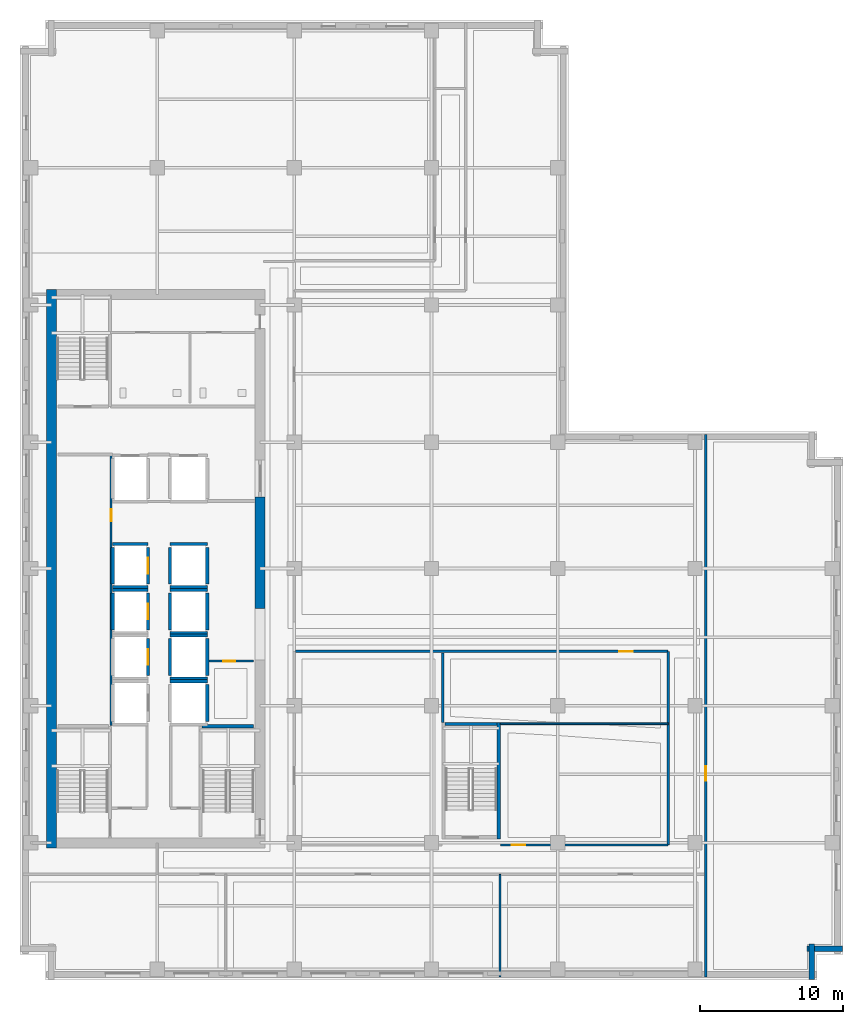
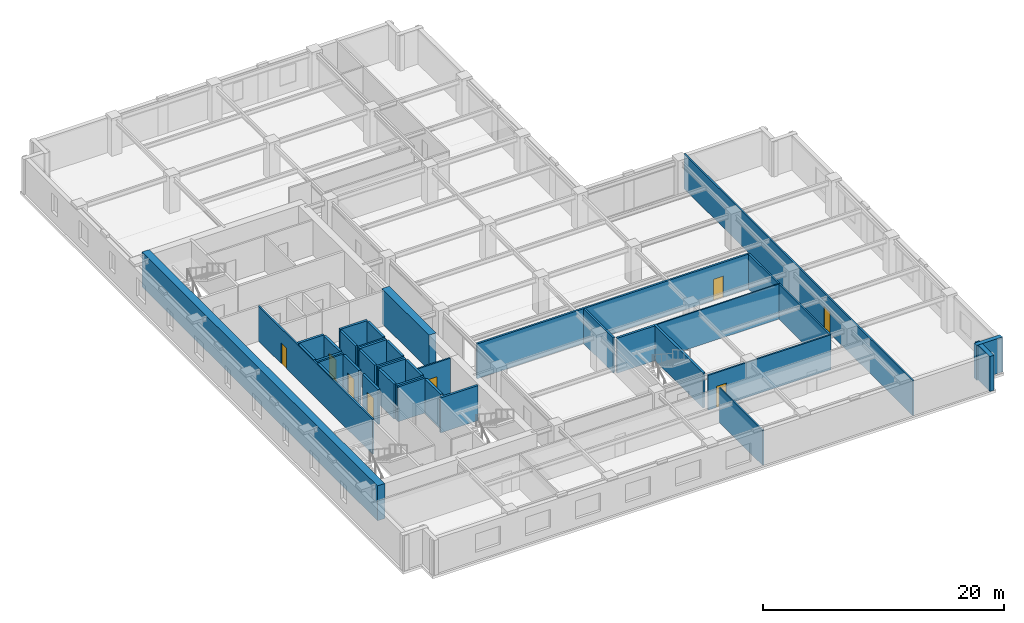
# One storey, part 4 of 12: 38 walls, 8 doors, 8 openings.
"""IFC4 building model written with IfcOpenShell, lengths in metres."""

from ifc_helpers import new_model, si_unit, direction, frame, frame_2d, origin, place, context, subcontext, project, spatial, rectangle, extrude, material, layer, layer_set, type_object, element, fill, save


model = new_model("IFC4")

# Units and contexts
model_context = context("Model", 3, precision=1e-05, world=origin(), true_north=direction((0.0, 1.0)))
body_context = subcontext(model_context, "Body", "Model", "MODEL_VIEW")
ifc_project = project(units=[si_unit("LENGTHUNIT", "METRE"), si_unit("AREAUNIT", "SQUARE_METRE"), si_unit("VOLUMEUNIT", "CUBIC_METRE"), si_unit("PLANEANGLEUNIT", "RADIAN"), si_unit("MASSUNIT", "GRAM", prefix="KILO")], contexts=[model_context])

# Site, building, storey
site_placement = place(None, origin())
site = spatial("IfcSite", under=ifc_project, at=site_placement, CompositionType="ELEMENT")
building_placement = place(site_placement, origin())
building = spatial("IfcBuilding", under=site, at=building_placement, Name="Norrvale University Quadrangle", CompositionType="ELEMENT")
storey_placement = place(building_placement, frame((0.0, 0.0, 143.199951171875)))
storey = spatial("IfcBuildingStorey", under=building, at=storey_placement, Name="L36", CompositionType="ELEMENT", Elevation=143.199951171875)

# Walls
ifc_material_1 = material(Name="Concrete C60/75", Category="concrete")
ifc_layer_1 = layer(ifc_material_1, 0.699951171875, Name="Concrete C60/75")
ifc_layer_set_1 = layer_set([ifc_layer_1], Name="Concrete C60/75")
wall_type_1 = type_object("IfcWallType", Name="Wall Core 700", PredefinedType="SHEAR", material=ifc_layer_set_1)
wall_1_placement = place(storey_placement, frame((2.199951171875, 9.25, 0.0), z_axis=(0.0, 0.0, 1.0), x_axis=(0.0, 1.0, 0.0)))
element("IfcWall", 1, at=wall_1_placement, inside=storey, type_object=wall_type_1, Name="Tower Core Shear Wall L36-W", PredefinedType="SHEAR", context=body_context, shape_type="SweptSolid", body=[
    extrude(rectangle(XDim=39.10009765625, YDim=0.699951171875, at=frame_2d((19.550048828125, 0.0))), origin(), (0.0, 0.0, 1.0), 3.5400390625),
])
wall_2_placement = place(storey_placement, frame((16.800048828125, 26.0, 0.0), z_axis=(0.0, 0.0, 1.0), x_axis=(0.0, 1.0, 0.0)))
element("IfcWall", 2, at=wall_2_placement, inside=storey, type_object=wall_type_1, Name="Tower Core Shear Wall L36-E2", PredefinedType="SHEAR", context=body_context, shape_type="SweptSolid", body=[
    extrude(rectangle(XDim=7.800048828125, YDim=0.699951171875, at=frame_2d((3.89990234375, 0.0))), origin(), (0.0, 0.0, 1.0), 3.5400390625),
])
ifc_material_2 = material(Name="Standard Academic Gypsum Partition")
ifc_layer_2 = layer(ifc_material_2, 0.125, Name="Standard Academic Gypsum Partition")
ifc_layer_set_2 = layer_set([ifc_layer_2], Name="Standard Academic Gypsum Partition")
wall_type_2 = type_object("IfcWallType", Name="Wall Gypsum Academic 125", PredefinedType="PARTITIONING", material=ifc_layer_set_2)
wall_3_placement = place(storey_placement, frame((33.60009765625, 0.219970703125, 0.0), z_axis=(0.0, 0.0, 1.0), x_axis=(0.0, 1.0, 0.0)))
element("IfcWall", 3, at=wall_3_placement, inside=storey, type_object=wall_type_2, Name="Interior Partition WL-L36-SP02", PredefinedType="PARTITIONING", context=body_context, shape_type="SweptSolid", body=[
    extrude(rectangle(XDim=7.179931640625, YDim=0.125, at=frame_2d((3.58984375, 0.0))), origin(), (0.0, 0.0, 1.0), 3.5400390625),
])
wall_4_placement = place(storey_placement, frame((33.6201171875, 17.93994140625, 0.0), z_axis=(0.0, 0.0, 1.0), x_axis=(1.0, 0.0, 0.0)))
element("IfcWall", 4, at=wall_4_placement, inside=storey, type_object=wall_type_2, Name="Interior Partition WL-L36-ISLH", PredefinedType="PARTITIONING", context=body_context, shape_type="SweptSolid", body=[
    extrude(rectangle(XDim=11.7548828125, YDim=0.125, at=frame_2d((5.87744140625, 0.0))), origin(), (0.0, 0.0, 1.0), 3.5400390625),
])

# Wall, opening, door
ifc_material_3 = material(Name="Fire-Rated Gypsum Stud Partition")
ifc_layer_3 = layer(ifc_material_3, 0.14990234375, Name="Fire-Rated Gypsum Stud Partition")
ifc_layer_set_3 = layer_set([ifc_layer_3], Name="Fire-Rated Gypsum Stud Partition")
wall_type_3 = type_object("IfcWallType", Name="Wall Gypsum Corridor 150", PredefinedType="PARTITIONING", material=ifc_layer_set_3)
wall_5_placement = place(storey_placement, frame((13.22509765625, 22.320068359375, 0.0), z_axis=(0.0, 0.0, 1.0), x_axis=(1.0, 0.0, 0.0)))
wall_5 = element("IfcWall", 5, at=wall_5_placement, inside=storey, type_object=wall_type_3, Name="Interior Partition WL-L36-JAN-N", PredefinedType="PARTITIONING", context=body_context, shape_type="SweptSolid", body=[
    extrude(rectangle(XDim=3.119873046875, YDim=0.14990234375, at=frame_2d((1.56005859375, 0.0))), origin(), (0.0, 0.0, 1.0), 3.5400390625),
])
opening_1_placement = place(wall_5_placement, frame((1.0, 0.0, 0.0)))
opening_1 = element("IfcOpeningElement", 6, at=opening_1_placement, cuts=wall_5, Name="Opening D10", PredefinedType="OPENING", context=body_context, shape_type="SweptSolid", body=[
    extrude(rectangle(XDim=0.85009765625, YDim=2.10009765625, at=frame_2d((0.425048828125, 1.050048828125))), frame((0.0, 0.0869140625, 0.0), z_axis=(0.0, -1.0, 0.0), x_axis=(1.0, 0.0, 0.0)), (0.0, 0.0, 1.0), 0.173828125),
])
ifc_material_4 = material(Name="Hollow Steel 350W Riser Fire Door", Category="steel")
door_type_1 = type_object("IfcDoorType", Name="Door Riser 850x2100", OperationType="NOTDEFINED", PredefinedType="DOOR", material=ifc_material_4)
door_1_placement = place(opening_1_placement, origin())
door_1 = element("IfcDoor", 7, at=door_1_placement, inside=storey, type_object=door_type_1, Name="Door Riser 850x2100 DR-L36-JAN", OperationType="SINGLE_SWING_LEFT", OverallHeight=2.10009765625, OverallWidth=0.85009765625, PredefinedType="DOOR", context=body_context, shape_type="SweptSolid", body=[
    extrude(rectangle(XDim=0.85009765625, YDim=2.10009765625, at=frame_2d((0.425048828125, 1.050048828125))), frame((0.0, 0.02490234375, 0.0), z_axis=(0.0, -1.0, 0.0), x_axis=(1.0, 0.0, 0.0)), (0.0, 0.0, 1.0), 0.050048828125),
])
fill(opening_1, door_1)

wall_6_placement = place(storey_placement, frame((6.3798828125, 17.800048828125, 0.0), z_axis=(0.0, 0.0, 1.0), x_axis=(0.0, 1.0, 0.0)))
wall_6 = element("IfcWall", 8, at=wall_6_placement, inside=storey, type_object=wall_type_3, Name="Interior Partition WL-L36-WME-E", PredefinedType="PARTITIONING", context=body_context, shape_type="SweptSolid", body=[
    extrude(rectangle(XDim=18.97998046875, YDim=0.14990234375, at=frame_2d((9.489990234375, 0.0))), origin(), (0.0, 0.0, 1.0), 3.5400390625),
])
opening_2_placement = place(wall_6_placement, frame((14.300048828125, 0.0, 0.0)))
opening_2 = element("IfcOpeningElement", 9, at=opening_2_placement, cuts=wall_6, Name="Opening D10", PredefinedType="OPENING", context=body_context, shape_type="SweptSolid", body=[
    extrude(rectangle(XDim=0.85009765625, YDim=2.10009765625, at=frame_2d((0.425048828125, 1.050048828125))), frame((0.0, 0.0869140625, 0.0), z_axis=(0.0, -1.0, 0.0), x_axis=(1.0, 0.0, 0.0)), (0.0, 0.0, 1.0), 0.173828125),
])
door_2_placement = place(opening_2_placement, origin())
door_2 = element("IfcDoor", 10, at=door_2_placement, inside=storey, type_object=door_type_1, Name="Door Riser 850x2100 DR-L36-WME", OperationType="SINGLE_SWING_LEFT", OverallHeight=2.10009765625, OverallWidth=0.85009765625, PredefinedType="DOOR", context=body_context, shape_type="SweptSolid", body=[
    extrude(rectangle(XDim=0.85009765625, YDim=2.10009765625, at=frame_2d((0.425048828125, 1.050048828125))), frame((0.0, 0.02490234375, 0.0), z_axis=(0.0, -1.0, 0.0), x_axis=(1.0, 0.0, 0.0)), (0.0, 0.0, 1.0), 0.050048828125),
])
fill(opening_2, door_2)

wall_7_placement = place(storey_placement, frame((48.0, 0.219970703125, 0.0), z_axis=(0.0, 0.0, 1.0), x_axis=(0.0, 1.0, 0.0)))
wall_7 = element("IfcWall", 11, at=wall_7_placement, inside=storey, type_object=wall_type_3, Name="Interior Partition WL-L36-ECW", PredefinedType="PARTITIONING", context=body_context, shape_type="SweptSolid", body=[
    extrude(rectangle(XDim=37.9599609375, YDim=0.14990234375, at=frame_2d((18.97998046875, 0.0))), origin(), (0.0, 0.0, 1.0), 3.5400390625),
])
opening_3_placement = place(wall_7_placement, frame((13.72998046875, 0.0, 0.0)))
opening_3 = element("IfcOpeningElement", 12, at=opening_3_placement, cuts=wall_7, Name="Opening D04", PredefinedType="OPENING", context=body_context, shape_type="SweptSolid", body=[
    extrude(rectangle(XDim=1.0, YDim=2.199951171875, at=frame_2d((0.5, 1.10009765625))), frame((0.0, 0.0869140625, 0.0), z_axis=(0.0, -1.0, 0.0), x_axis=(1.0, 0.0, 0.0)), (0.0, 0.0, 1.0), 0.173828125),
])
ifc_material_5 = material(Name="Solid-Core Oak Fire Door", Category="wood")
door_type_2 = type_object("IfcDoorType", Name="Door Corridor 1000x2200", OperationType="NOTDEFINED", PredefinedType="DOOR", material=ifc_material_5)
door_3_placement = place(opening_3_placement, origin())
door_3 = element("IfcDoor", 13, at=door_3_placement, inside=storey, type_object=door_type_2, Name="Door Corridor 1000x2200 DR-L36-E01", OperationType="SINGLE_SWING_RIGHT", OverallHeight=2.199951171875, OverallWidth=1.0, PredefinedType="DOOR", context=body_context, shape_type="SweptSolid", body=[
    extrude(rectangle(XDim=1.0, YDim=2.199951171875, at=frame_2d((0.5, 1.10009765625))), frame((0.0, 0.02490234375, 0.0), z_axis=(0.0, -1.0, 0.0), x_axis=(1.0, 0.0, 0.0)), (0.0, 0.0, 1.0), 0.050048828125),
])
fill(opening_3, door_3)

wall_8_placement = place(storey_placement, frame((33.6201171875, 9.449951171875, 0.0), z_axis=(0.0, 0.0, 1.0), x_axis=(1.0, 0.0, 0.0)))
wall_8 = element("IfcWall", 14, at=wall_8_placement, inside=storey, type_object=wall_type_3, Name="Interior Partition WL-L36-ISLS2", PredefinedType="PARTITIONING", context=body_context, shape_type="SweptSolid", body=[
    extrude(rectangle(XDim=11.7548828125, YDim=0.14990234375, at=frame_2d((5.87744140625, 0.0))), origin(), (0.0, 0.0, 1.0), 3.5400390625),
])
opening_4_placement = place(wall_8_placement, frame((0.800048828125, 0.0, 0.0)))
opening_4 = element("IfcOpeningElement", 15, at=opening_4_placement, cuts=wall_8, Name="Opening D07", PredefinedType="OPENING", context=body_context, shape_type="SweptSolid", body=[
    extrude(rectangle(XDim=0.949951171875, YDim=2.14990234375, at=frame_2d((0.47509765625, 1.074951171875))), frame((0.0, 0.0869140625, 0.0), z_axis=(0.0, -1.0, 0.0), x_axis=(1.0, 0.0, 0.0)), (0.0, 0.0, 1.0), 0.173828125),
])
ifc_material_6 = material(Name="Solid-Core Maple Door", Category="wood")
door_type_3 = type_object("IfcDoorType", Name="Door Office 950x2150", OperationType="NOTDEFINED", PredefinedType="DOOR", material=ifc_material_6)
door_4_placement = place(opening_4_placement, origin())
door_4 = element("IfcDoor", 16, at=door_4_placement, inside=storey, type_object=door_type_3, Name="Door Office 950x2150 DR-L36-ISE", OperationType="SINGLE_SWING_LEFT", OverallHeight=2.14990234375, OverallWidth=0.949951171875, PredefinedType="DOOR", context=body_context, shape_type="SweptSolid", body=[
    extrude(rectangle(XDim=0.949951171875, YDim=2.14990234375, at=frame_2d((0.47509765625, 1.074951171875))), frame((0.0, 0.02490234375, 0.0), z_axis=(0.0, -1.0, 0.0), x_axis=(1.0, 0.0, 0.0)), (0.0, 0.0, 1.0), 0.050048828125),
])
fill(opening_4, door_4)

# Walls
wall_9_placement = place(storey_placement, frame((45.375, 9.449951171875, 0.0), z_axis=(0.0, 0.0, 1.0), x_axis=(0.0, 1.0, 0.0)))
element("IfcWall", 17, at=wall_9_placement, inside=storey, type_object=wall_type_3, Name="Interior Partition WL-L36-ISLE", PredefinedType="PARTITIONING", context=body_context, shape_type="SweptSolid", body=[
    extrude(rectangle(XDim=13.550048828125, YDim=0.14990234375, at=frame_2d((6.77490234375, 0.0))), origin(), (0.0, 0.0, 1.0), 3.5400390625),
])
ifc_material_7 = material(Name="Acoustic Double-Stud Gypsum Partition")
ifc_layer_4 = layer(ifc_material_7, 0.179931640625, Name="Acoustic Double-Stud Gypsum Partition")
ifc_layer_set_4 = layer_set([ifc_layer_4], Name="Acoustic Double-Stud Gypsum Partition")
wall_type_4 = type_object("IfcWallType", Name="Wall Gypsum Lecture 180", PredefinedType="PARTITIONING", material=ifc_layer_set_4)
wall_10_placement = place(storey_placement, frame((29.580078125, 18.02490234375, 0.0), z_axis=(0.0, 0.0, 1.0), x_axis=(0.0, 1.0, 0.0)))
element("IfcWall", 18, at=wall_10_placement, inside=storey, type_object=wall_type_4, Name="Interior Partition WL-L36-ISLD", PredefinedType="PARTITIONING", context=body_context, shape_type="SweptSolid", body=[
    extrude(rectangle(XDim=4.880126953125, YDim=0.179931640625, at=frame_2d((2.43994140625, 0.0))), origin(), (0.0, 0.0, 1.0), 3.5400390625),
])

# Wall, opening, door
wall_11_placement = place(storey_placement, frame((19.280029296875, 23.0, 0.0), z_axis=(0.0, 0.0, 1.0), x_axis=(1.0, 0.0, 0.0)))
wall_11 = element("IfcWall", 19, at=wall_11_placement, inside=storey, type_object=wall_type_4, Name="Interior Partition WL-L36-ISLN", PredefinedType="PARTITIONING", context=body_context, shape_type="SweptSolid", body=[
    extrude(rectangle(XDim=26.094970703125, YDim=0.179931640625, at=frame_2d((13.04736328125, 0.0))), origin(), (0.0, 0.0, 1.0), 3.5400390625),
])
opening_5_placement = place(wall_11_placement, frame((22.669921875, 0.0, 0.0)))
opening_5 = element("IfcOpeningElement", 20, at=opening_5_placement, cuts=wall_11, Name="Opening D07", PredefinedType="OPENING", context=body_context, shape_type="SweptSolid", body=[
    extrude(rectangle(XDim=0.949951171875, YDim=2.14990234375, at=frame_2d((0.47509765625, 1.074951171875))), frame((0.0, 0.10205078125, 0.0), z_axis=(0.0, -1.0, 0.0), x_axis=(1.0, 0.0, 0.0)), (0.0, 0.0, 1.0), 0.203857421875),
])
door_5_placement = place(opening_5_placement, origin())
door_5 = element("IfcDoor", 21, at=door_5_placement, inside=storey, type_object=door_type_3, Name="Door Office 950x2150 DR-L36-ILH", OperationType="SINGLE_SWING_RIGHT", OverallHeight=2.14990234375, OverallWidth=0.949951171875, PredefinedType="DOOR", context=body_context, shape_type="SweptSolid", body=[
    extrude(rectangle(XDim=0.949951171875, YDim=2.14990234375, at=frame_2d((0.47509765625, 1.074951171875))), frame((0.0, 0.02490234375, 0.0), z_axis=(0.0, -1.0, 0.0), x_axis=(1.0, 0.0, 0.0)), (0.0, 0.0, 1.0), 0.050048828125),
])
fill(opening_5, door_5)

# Walls
ifc_material_8 = material(Name="Red Manganese Brick Masonry", Category="masonry")
ifc_layer_5 = layer(ifc_material_8, 0.39990234375, Name="Red Manganese Brick Masonry")
ifc_layer_set_5 = layer_set([ifc_layer_5], Name="Red Manganese Brick Masonry")
wall_type_5 = type_object("IfcWallType", Name="Wall Red Brick 400", PredefinedType="SOLIDWALL", material=ifc_layer_set_5)
for number, where, z_axis, x_axis, name in (
    (22, (55.419921875, 0.0400390625, 0.0), (0.0, 0.0, 1.0), (0.0, 1.0, 0.0), "Exterior Brick Facade Wall L36-02.1"),
    (23, (55.080078125, 2.179931640625, 0.0), (0.0, 0.0, 1.0), (1.0, 0.0, 0.0), "Exterior Brick Facade Wall L36-03.1"),
):
    element("IfcWall", number, at=place(storey_placement, frame(where, z_axis=z_axis, x_axis=x_axis)), inside=storey, type_object=wall_type_5, Name=name, PredefinedType="SOLIDWALL", context=body_context, shape_type="SweptSolid", body=[
        extrude(rectangle(XDim=2.47998046875, YDim=0.39990234375, at=frame_2d((1.239990234375, 0.0))), origin(), (0.0, 0.0, 1.0), 3.5400390625),
    ])
ifc_material_9 = material(Name="Concrete Blockwork 20 MPa Fire Shaft", Category="masonry")
ifc_layer_6 = layer(ifc_material_9, 0.219970703125, Name="Concrete Blockwork 20 MPa Fire Shaft")
ifc_layer_set_6 = layer_set([ifc_layer_6], Name="Concrete Blockwork 20 MPa Fire Shaft")
wall_type_6 = type_object("IfcWallType", Name="Wall Shaft 220", PredefinedType="SOLIDWALL", material=ifc_layer_set_6)
wall_12_placement = place(storey_placement, frame((12.75, 17.760009765625, 0.0), z_axis=(0.0, 0.0, 1.0), x_axis=(1.0, 0.0, 0.0)))
element("IfcWall", 24, at=wall_12_placement, inside=storey, type_object=wall_type_6, Name="Stair ST-03 North Shaft Wall L36", PredefinedType="SOLIDWALL", context=body_context, shape_type="SweptSolid", body=[
    extrude(rectangle(XDim=3.60009765625, YDim=0.219970703125, at=frame_2d((1.800048828125, 0.0))), origin(), (0.0, 0.0, 1.0), 3.5400390625),
])
wall_13_placement = place(storey_placement, frame((33.510009765625, 9.8798828125, 0.0), z_axis=(0.0, 0.0, 1.0), x_axis=(0.0, 1.0, 0.0)))
element("IfcWall", 25, at=wall_13_placement, inside=storey, type_object=wall_type_6, Name="Stair ST-04 East Shaft Wall L36", PredefinedType="SOLIDWALL", context=body_context, shape_type="SweptSolid", body=[
    extrude(rectangle(XDim=8.14013671875, YDim=0.219970703125, at=frame_2d((4.070068359375, 0.0))), origin(), (0.0, 0.0, 1.0), 3.5400390625),
])
wall_14_placement = place(storey_placement, frame((29.75, 17.909912109375, 0.0), z_axis=(0.0, 0.0, 1.0), x_axis=(1.0, 0.0, 0.0)))
element("IfcWall", 26, at=wall_14_placement, inside=storey, type_object=wall_type_6, Name="Stair ST-04 North Shaft Wall L36", PredefinedType="SOLIDWALL", context=body_context, shape_type="SweptSolid", body=[
    extrude(rectangle(XDim=3.64990234375, YDim=0.219970703125, at=frame_2d((1.824951171875, 0.0))), origin(), (0.0, 0.0, 1.0), 3.5400390625),
])

# Wall, opening, door
wall_15_placement = place(storey_placement, frame((8.9599609375, 21.31005859375, 0.0), z_axis=(0.0, 0.0, 1.0), x_axis=(0.0, 1.0, 0.0)))
wall_15 = element("IfcWall", 27, at=wall_15_placement, inside=storey, type_object=wall_type_6, Name="Hoistway PL-02 East Wall L36", PredefinedType="SOLIDWALL", context=body_context, shape_type="SweptSolid", body=[
    extrude(rectangle(XDim=2.579833984375, YDim=0.219970703125, at=frame_2d((1.2900390625, 0.0))), origin(), (0.0, 0.0, 1.0), 3.5400390625),
])
opening_6_placement = place(wall_15_placement, frame((0.739990234375, 0.0, 0.0)))
opening_6 = element("IfcOpeningElement", 28, at=opening_6_placement, cuts=wall_15, Name="Opening LD1", PredefinedType="OPENING", context=body_context, shape_type="SweptSolid", body=[
    extrude(rectangle(XDim=1.10009765625, YDim=2.199951171875, at=frame_2d((0.550048828125, 1.10009765625))), frame((0.0, 0.1220703125, 0.0), z_axis=(0.0, -1.0, 0.0), x_axis=(1.0, 0.0, 0.0)), (0.0, 0.0, 1.0), 0.243896484375),
])
ifc_material_10 = material(Name="Stainless Steel 316L Lift Landing Door", Category="steel")
door_type_4 = type_object("IfcDoorType", Name="Door Lift Landing 1100x2200", OperationType="DOUBLE_DOOR_SLIDING", PredefinedType="DOOR", material=ifc_material_10)
door_6_placement = place(opening_6_placement, origin())
door_6 = element("IfcDoor", 29, at=door_6_placement, inside=storey, type_object=door_type_4, Name="Elevator Landing Door DR-L36-PL-02", OperationType="DOUBLE_DOOR_SLIDING", OverallHeight=2.199951171875, OverallWidth=1.10009765625, PredefinedType="DOOR", context=body_context, shape_type="SweptSolid", body=[
    extrude(rectangle(XDim=1.10009765625, YDim=2.199951171875, at=frame_2d((0.550048828125, 1.10009765625))), frame((0.0, 0.02490234375, 0.0), z_axis=(0.0, -1.0, 0.0), x_axis=(1.0, 0.0, 0.0)), (0.0, 0.0, 1.0), 0.050048828125),
])
fill(opening_6, door_6)

# Wall
wall_16_placement = place(storey_placement, frame((6.489990234375, 24.510009765625, 0.0), z_axis=(0.0, 0.0, 1.0), x_axis=(0.0, 1.0, 0.0)))
element("IfcWall", 30, at=wall_16_placement, inside=storey, type_object=wall_type_6, Name="Hoistway PL-03 West Wall L36", PredefinedType="SOLIDWALL", context=body_context, shape_type="SweptSolid", body=[
    extrude(rectangle(XDim=2.580078125, YDim=0.219970703125, at=frame_2d((1.2900390625, 0.0))), origin(), (0.0, 0.0, 1.0), 3.5400390625),
])

# Wall, opening, door
wall_17_placement = place(storey_placement, frame((8.9599609375, 24.510009765625, 0.0), z_axis=(0.0, 0.0, 1.0), x_axis=(0.0, 1.0, 0.0)))
wall_17 = element("IfcWall", 31, at=wall_17_placement, inside=storey, type_object=wall_type_6, Name="Hoistway PL-03 East Wall L36", PredefinedType="SOLIDWALL", context=body_context, shape_type="SweptSolid", body=[
    extrude(rectangle(XDim=2.580078125, YDim=0.219970703125, at=frame_2d((1.2900390625, 0.0))), origin(), (0.0, 0.0, 1.0), 3.5400390625),
])
opening_7_placement = place(wall_17_placement, frame((0.739990234375, 0.0, 0.0)))
opening_7 = element("IfcOpeningElement", 32, at=opening_7_placement, cuts=wall_17, Name="Opening LD1", PredefinedType="OPENING", context=body_context, shape_type="SweptSolid", body=[
    extrude(rectangle(XDim=1.10009765625, YDim=2.199951171875, at=frame_2d((0.550048828125, 1.10009765625))), frame((0.0, 0.1220703125, 0.0), z_axis=(0.0, -1.0, 0.0), x_axis=(1.0, 0.0, 0.0)), (0.0, 0.0, 1.0), 0.243896484375),
])
door_7_placement = place(opening_7_placement, origin())
door_7 = element("IfcDoor", 33, at=door_7_placement, inside=storey, type_object=door_type_4, Name="Elevator Landing Door DR-L36-PL-03", OperationType="DOUBLE_DOOR_SLIDING", OverallHeight=2.199951171875, OverallWidth=1.10009765625, PredefinedType="DOOR", context=body_context, shape_type="SweptSolid", body=[
    extrude(rectangle(XDim=1.10009765625, YDim=2.199951171875, at=frame_2d((0.550048828125, 1.10009765625))), frame((0.0, 0.02490234375, 0.0), z_axis=(0.0, -1.0, 0.0), x_axis=(1.0, 0.0, 0.0)), (0.0, 0.0, 1.0), 0.050048828125),
])
fill(opening_7, door_7)

# Walls
wall_18_placement = place(storey_placement, frame((6.489990234375, 27.31005859375, 0.0), z_axis=(0.0, 0.0, 1.0), x_axis=(1.0, 0.0, 0.0)))
element("IfcWall", 34, at=wall_18_placement, inside=storey, type_object=wall_type_6, Name="Hoistway PL-03 North Wall L36", PredefinedType="SOLIDWALL", context=body_context, shape_type="SweptSolid", body=[
    extrude(rectangle(XDim=2.469970703125, YDim=0.219970703125, at=frame_2d((1.23486328125, 0.0))), origin(), (0.0, 0.0, 1.0), 3.5400390625),
])
wall_19_placement = place(storey_placement, frame((6.489990234375, 27.7099609375, 0.0), z_axis=(0.0, 0.0, 1.0), x_axis=(0.0, 1.0, 0.0)))
element("IfcWall", 35, at=wall_19_placement, inside=storey, type_object=wall_type_6, Name="Hoistway PL-04 West Wall L36", PredefinedType="SOLIDWALL", context=body_context, shape_type="SweptSolid", body=[
    extrude(rectangle(XDim=2.580078125, YDim=0.219970703125, at=frame_2d((1.2900390625, 0.0))), origin(), (0.0, 0.0, 1.0), 3.5400390625),
])

# Wall, opening, door
wall_20_placement = place(storey_placement, frame((8.9599609375, 27.7099609375, 0.0), z_axis=(0.0, 0.0, 1.0), x_axis=(0.0, 1.0, 0.0)))
wall_20 = element("IfcWall", 36, at=wall_20_placement, inside=storey, type_object=wall_type_6, Name="Hoistway PL-04 East Wall L36", PredefinedType="SOLIDWALL", context=body_context, shape_type="SweptSolid", body=[
    extrude(rectangle(XDim=2.580078125, YDim=0.219970703125, at=frame_2d((1.2900390625, 0.0))), origin(), (0.0, 0.0, 1.0), 3.5400390625),
])
opening_8_placement = place(wall_20_placement, frame((0.739990234375, 0.0, 0.0)))
opening_8 = element("IfcOpeningElement", 37, at=opening_8_placement, cuts=wall_20, Name="Opening LD1", PredefinedType="OPENING", context=body_context, shape_type="SweptSolid", body=[
    extrude(rectangle(XDim=1.10009765625, YDim=2.199951171875, at=frame_2d((0.550048828125, 1.10009765625))), frame((0.0, 0.1220703125, 0.0), z_axis=(0.0, -1.0, 0.0), x_axis=(1.0, 0.0, 0.0)), (0.0, 0.0, 1.0), 0.243896484375),
])
door_8_placement = place(opening_8_placement, origin())
door_8 = element("IfcDoor", 38, at=door_8_placement, inside=storey, type_object=door_type_4, Name="Elevator Landing Door DR-L36-PL-04", OperationType="DOUBLE_DOOR_SLIDING", OverallHeight=2.199951171875, OverallWidth=1.10009765625, PredefinedType="DOOR", context=body_context, shape_type="SweptSolid", body=[
    extrude(rectangle(XDim=1.10009765625, YDim=2.199951171875, at=frame_2d((0.550048828125, 1.10009765625))), frame((0.0, 0.02490234375, 0.0), z_axis=(0.0, -1.0, 0.0), x_axis=(1.0, 0.0, 0.0)), (0.0, 0.0, 1.0), 0.050048828125),
])
fill(opening_8, door_8)

# Walls
for number, where, z_axis, x_axis, name in (
    (39, (6.489990234375, 27.489990234375, 0.0), (0.0, 0.0, 1.0), (1.0, 0.0, 0.0), "Hoistway PL-04 South Wall L36"),
    (40, (6.489990234375, 30.510009765625, 0.0), (0.0, 0.0, 1.0), (1.0, 0.0, 0.0), "Hoistway PL-04 North Wall L36"),
):
    element("IfcWall", number, at=place(storey_placement, frame(where, z_axis=z_axis, x_axis=x_axis)), inside=storey, type_object=wall_type_6, Name=name, PredefinedType="SOLIDWALL", context=body_context, shape_type="SweptSolid", body=[
        extrude(rectangle(XDim=2.469970703125, YDim=0.219970703125, at=frame_2d((1.23486328125, 0.0))), origin(), (0.0, 0.0, 1.0), 3.5400390625),
    ])
wall_21_placement = place(storey_placement, frame((13.110107421875, 18.110107421875, 0.0), z_axis=(0.0, 0.0, 1.0), x_axis=(0.0, 1.0, 0.0)))
element("IfcWall", 41, at=wall_21_placement, inside=storey, type_object=wall_type_6, Name="Hoistway PL-05 East Wall L36", PredefinedType="SOLIDWALL", context=body_context, shape_type="SweptSolid", body=[
    extrude(rectangle(XDim=2.579833984375, YDim=0.219970703125, at=frame_2d((1.2900390625, 0.0))), origin(), (0.0, 0.0, 1.0), 3.5400390625),
])
wall_22_placement = place(storey_placement, frame((10.489990234375, 20.909912109375, 0.0), z_axis=(0.0, 0.0, 1.0), x_axis=(1.0, 0.0, 0.0)))
element("IfcWall", 42, at=wall_22_placement, inside=storey, type_object=wall_type_6, Name="Hoistway PL-05 North Wall L36", PredefinedType="SOLIDWALL", context=body_context, shape_type="SweptSolid", body=[
    extrude(rectangle(XDim=2.6201171875, YDim=0.219970703125, at=frame_2d((1.31005859375, 0.0))), origin(), (0.0, 0.0, 1.0), 3.5400390625),
])
for number, where, z_axis, x_axis, name in (
    (43, (10.489990234375, 21.31005859375, 0.0), (0.0, 0.0, 1.0), (0.0, 1.0, 0.0), "Hoistway PL-06 West Wall L36"),
    (44, (13.110107421875, 21.31005859375, 0.0), (0.0, 0.0, 1.0), (0.0, 1.0, 0.0), "Hoistway PL-06 East Wall L36"),
):
    element("IfcWall", number, at=place(storey_placement, frame(where, z_axis=z_axis, x_axis=x_axis)), inside=storey, type_object=wall_type_6, Name=name, PredefinedType="SOLIDWALL", context=body_context, shape_type="SweptSolid", body=[
        extrude(rectangle(XDim=2.579833984375, YDim=0.219970703125, at=frame_2d((1.2900390625, 0.0))), origin(), (0.0, 0.0, 1.0), 3.5400390625),
    ])
for number, where, z_axis, x_axis, name in (
    (45, (10.489990234375, 21.090087890625, 0.0), (0.0, 0.0, 1.0), (1.0, 0.0, 0.0), "Hoistway PL-06 South Wall L36"),
    (46, (10.489990234375, 24.110107421875, 0.0), (0.0, 0.0, 1.0), (1.0, 0.0, 0.0), "Hoistway PL-06 North Wall L36"),
):
    element("IfcWall", number, at=place(storey_placement, frame(where, z_axis=z_axis, x_axis=x_axis)), inside=storey, type_object=wall_type_6, Name=name, PredefinedType="SOLIDWALL", context=body_context, shape_type="SweptSolid", body=[
        extrude(rectangle(XDim=2.6201171875, YDim=0.219970703125, at=frame_2d((1.31005859375, 0.0))), origin(), (0.0, 0.0, 1.0), 3.5400390625),
    ])
for number, where, z_axis, x_axis, name in (
    (47, (10.489990234375, 24.510009765625, 0.0), (0.0, 0.0, 1.0), (0.0, 1.0, 0.0), "Hoistway PL-07 West Wall L36"),
    (48, (13.110107421875, 24.510009765625, 0.0), (0.0, 0.0, 1.0), (0.0, 1.0, 0.0), "Hoistway PL-07 East Wall L36"),
):
    element("IfcWall", number, at=place(storey_placement, frame(where, z_axis=z_axis, x_axis=x_axis)), inside=storey, type_object=wall_type_6, Name=name, PredefinedType="SOLIDWALL", context=body_context, shape_type="SweptSolid", body=[
        extrude(rectangle(XDim=2.580078125, YDim=0.219970703125, at=frame_2d((1.2900390625, 0.0))), origin(), (0.0, 0.0, 1.0), 3.5400390625),
    ])
for number, where, z_axis, x_axis, name in (
    (49, (10.489990234375, 24.2900390625, 0.0), (0.0, 0.0, 1.0), (1.0, 0.0, 0.0), "Hoistway PL-07 South Wall L36"),
    (50, (10.489990234375, 27.31005859375, 0.0), (0.0, 0.0, 1.0), (1.0, 0.0, 0.0), "Hoistway PL-07 North Wall L36"),
):
    element("IfcWall", number, at=place(storey_placement, frame(where, z_axis=z_axis, x_axis=x_axis)), inside=storey, type_object=wall_type_6, Name=name, PredefinedType="SOLIDWALL", context=body_context, shape_type="SweptSolid", body=[
        extrude(rectangle(XDim=2.6201171875, YDim=0.219970703125, at=frame_2d((1.31005859375, 0.0))), origin(), (0.0, 0.0, 1.0), 3.5400390625),
    ])
for number, where, z_axis, x_axis, name in (
    (51, (10.489990234375, 27.7099609375, 0.0), (0.0, 0.0, 1.0), (0.0, 1.0, 0.0), "Hoistway PL-08 West Wall L36"),
    (52, (13.110107421875, 27.7099609375, 0.0), (0.0, 0.0, 1.0), (0.0, 1.0, 0.0), "Hoistway PL-08 East Wall L36"),
):
    element("IfcWall", number, at=place(storey_placement, frame(where, z_axis=z_axis, x_axis=x_axis)), inside=storey, type_object=wall_type_6, Name=name, PredefinedType="SOLIDWALL", context=body_context, shape_type="SweptSolid", body=[
        extrude(rectangle(XDim=2.580078125, YDim=0.219970703125, at=frame_2d((1.2900390625, 0.0))), origin(), (0.0, 0.0, 1.0), 3.5400390625),
    ])
for number, where, z_axis, x_axis, name in (
    (53, (10.489990234375, 27.489990234375, 0.0), (0.0, 0.0, 1.0), (1.0, 0.0, 0.0), "Hoistway PL-08 South Wall L36"),
    (54, (10.489990234375, 30.510009765625, 0.0), (0.0, 0.0, 1.0), (1.0, 0.0, 0.0), "Hoistway PL-08 North Wall L36"),
):
    element("IfcWall", number, at=place(storey_placement, frame(where, z_axis=z_axis, x_axis=x_axis)), inside=storey, type_object=wall_type_6, Name=name, PredefinedType="SOLIDWALL", context=body_context, shape_type="SweptSolid", body=[
        extrude(rectangle(XDim=2.6201171875, YDim=0.219970703125, at=frame_2d((1.31005859375, 0.0))), origin(), (0.0, 0.0, 1.0), 3.5400390625),
    ])

save(model, "model.ifc")
